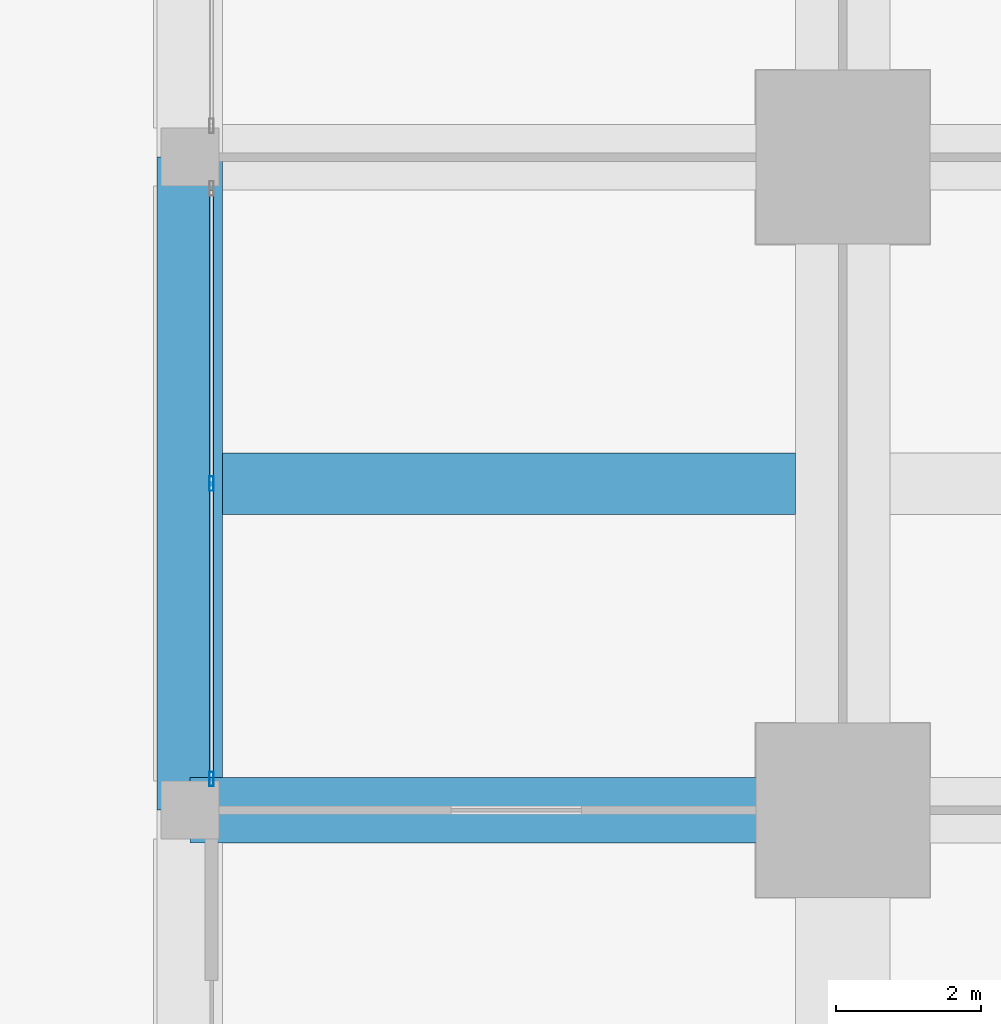
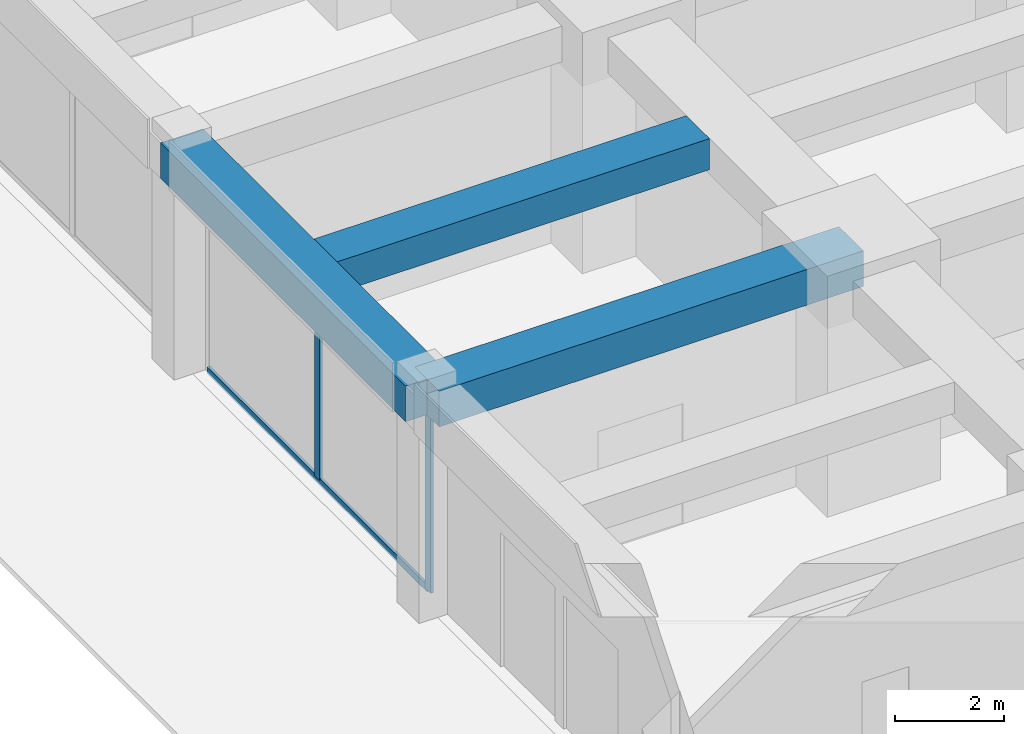
# One storey, part 9 of 56: 3 beams, 3 members, 1 element without a shape of its own.
"""IFC4 building model written with IfcOpenShell, lengths in metres."""

from ifc_helpers import new_model, si_unit, direction, frame, origin, origin_2d, place, context, subcontext, project, spatial, rectangle, hollow_rectangle, extrude, material, material_profile, profile_set, type_object, element, aggregate, save


model = new_model("IFC4")

# Units and contexts
model_context = context("Model", 3, precision=1e-05, world=origin(), true_north=direction((0.0, 1.0)))
body_context = subcontext(model_context, "Body", "Model", "MODEL_VIEW")
ifc_project = project(units=[si_unit("LENGTHUNIT", "METRE"), si_unit("AREAUNIT", "SQUARE_METRE"), si_unit("VOLUMEUNIT", "CUBIC_METRE"), si_unit("PLANEANGLEUNIT", "RADIAN"), si_unit("MASSUNIT", "GRAM", prefix="KILO")], contexts=[model_context])

# Site, building, storey
site_placement = place(None, origin())
site = spatial("IfcSite", under=ifc_project, at=site_placement, CompositionType="ELEMENT")
building_placement = place(site_placement, origin())
building = spatial("IfcBuilding", under=site, at=building_placement, Name="Zorevar Civic Tower", CompositionType="ELEMENT")
storey_placement = place(building_placement, origin())
storey = spatial("IfcBuildingStorey", under=building, at=storey_placement, Name="L00", CompositionType="ELEMENT", Elevation=0.0)

# Beams
ifc_material_1 = material(Name="Concrete C50/60", Category="concrete")
ifc_material_profile_1 = material_profile(ifc_material_1, rectangle(XDim=0.85009765625, YDim=0.699951171875, at=origin_2d()), Name="RC 850x700")
ifc_profile_set_1 = profile_set([ifc_material_profile_1], Name="Concrete C50/60")
beam_type_1 = type_object("IfcBeamType", Name="Beam RC 850x700", PredefinedType="BEAM", material=ifc_profile_set_1)
beam_1_placement = place(storey_placement, frame((-8.550048828125, 22.5, 4.75), z_axis=(1.0, 0.0, 0.0), x_axis=(0.0, 1.0, 0.0)))
element("IfcBeam", 1, at=beam_1_placement, inside=storey, type_object=beam_type_1, Name="Secondary beam L01", PredefinedType="BEAM", context=body_context, shape_type="SweptSolid", body=[
    extrude(rectangle(XDim=0.85009765625, YDim=0.699951171875, at=origin_2d()), origin(), (0.0, 0.0, 1.0), 7.900146484375),
])
ifc_material_2 = material(Name="Concrete C50/60", Category="concrete")
ifc_material_profile_2 = material_profile(ifc_material_2, rectangle(XDim=0.89990234375, YDim=0.800048828125, at=origin_2d()), Name="RC 900x800")
ifc_profile_set_2 = profile_set([ifc_material_profile_2], Name="Concrete C50/60")
beam_type_2 = type_object("IfcBeamType", Name="Beam RC 900x800", PredefinedType="BEAM", material=ifc_profile_set_2)
beam_2_placement = place(storey_placement, frame((-9.0, 18.0, 4.699951171875), z_axis=(1.0, 0.0, 0.0), x_axis=(0.0, 1.0, 0.0)))
element("IfcBeam", 2, at=beam_2_placement, inside=storey, type_object=beam_type_2, Name="Girder L01", PredefinedType="BEAM", context=body_context, shape_type="SweptSolid", body=[
    extrude(rectangle(XDim=0.89990234375, YDim=0.800048828125, at=origin_2d()), origin(), (0.0, 0.0, 1.0), 9.0),
])

# Curtain wall, members
ifc_material_3 = material(Name="Dark grey solar-control glass in black aluminium frame", Category="aluminium")
curtain_wall_type = type_object("IfcCurtainWallType", Name="Curtain wall CW1 podium", PredefinedType="NOTDEFINED", material=ifc_material_3)
curtain_wall_placement = place(storey_placement, origin())
curtain_wall = element("IfcCurtainWall", 3, at=curtain_wall_placement, inside=storey, type_object=curtain_wall_type, Name="CW1 L00", PredefinedType="NOTDEFINED")
ifc_material_4 = material(Name="Aluminium, black anodised", Category="aluminium")
ifc_material_profile_3 = material_profile(ifc_material_4, hollow_rectangle(XDim=0.06005859375, YDim=0.199951171875, WallThickness=0.00390625, at=origin_2d()), Name="AL 200x60x4")
ifc_profile_set_3 = profile_set([ifc_material_profile_3], Name="Aluminium, black anodised")
member_type_1 = type_object("IfcMemberType", Name="CW1 mullion AL 200x60x4", PredefinedType="MULLION", material=ifc_profile_set_3)
member_1_placement = place(storey_placement, frame((-8.699951171875, 18.429931640625, 0.0), z_axis=(0.0, 0.0, 1.0), x_axis=(-1.0, 0.0, 0.0)))
member_1 = element("IfcMember", 4, at=member_1_placement, type_object=member_type_1, Name="CW1 mullion 1", PredefinedType="MULLION", context=body_context, shape_type="SweptSolid", body=[
    extrude(hollow_rectangle(XDim=0.06005859375, YDim=0.199951171875, WallThickness=0.00390625, at=origin_2d()), origin(), (0.0, 0.0, 1.0), 4.300048828125),
])
member_2_placement = place(storey_placement, frame((-8.699951171875, 22.5, 0.06005859375), z_axis=(0.0, 0.0, 1.0), x_axis=(-1.0, 0.0, 0.0)))
member_2 = element("IfcMember", 5, at=member_2_placement, type_object=member_type_1, Name="CW1 mullion 2", PredefinedType="MULLION", context=body_context, shape_type="SweptSolid", body=[
    extrude(hollow_rectangle(XDim=0.06005859375, YDim=0.199951171875, WallThickness=0.00390625, at=origin_2d()), origin(), (0.0, 0.0, 1.0), 4.239990234375),
])
ifc_material_5 = material(Name="Aluminium, black anodised", Category="aluminium")
ifc_material_profile_4 = material_profile(ifc_material_5, hollow_rectangle(XDim=0.06005859375, YDim=0.14990234375, WallThickness=0.00390625, at=origin_2d()), Name="AL 150x60x4")
ifc_profile_set_4 = profile_set([ifc_material_profile_4], Name="Aluminium, black anodised")
member_type_2 = type_object("IfcMemberType", Name="CW1 transom AL 150x60x4", PredefinedType="USERDEFINED", material=ifc_profile_set_4)
member_3_placement = place(storey_placement, frame((-8.699951171875, 18.4599609375, 0.030029296875), z_axis=(0.0, 1.0, 0.0), x_axis=(-1.0, 0.0, 0.0)))
member_3 = element("IfcMember", 6, at=member_3_placement, type_object=member_type_2, Name="CW1 sill transom", ObjectType="TRANSOM", PredefinedType="USERDEFINED", context=body_context, shape_type="SweptSolid", body=[
    extrude(hollow_rectangle(XDim=0.06005859375, YDim=0.14990234375, WallThickness=0.00390625, at=origin_2d()), origin(), (0.0, 0.0, 1.0), 8.080078125),
])
aggregate(curtain_wall, [member_1, member_2, member_3])

# Beam
ifc_material_6 = material(Name="Concrete C50/60", Category="concrete")
ifc_material_profile_5 = material_profile(ifc_material_6, rectangle(XDim=0.89990234375, YDim=0.800048828125, at=origin_2d()), Name="RC 900x800")
ifc_profile_set_5 = profile_set([ifc_material_profile_5], Name="Concrete C50/60")
beam_type_3 = type_object("IfcBeamType", Name="Edge beam RC 900x800", PredefinedType="SPANDREL", material=ifc_profile_set_5)
beam_3_placement = place(storey_placement, frame((-9.0, 18.0, 4.699951171875), z_axis=(0.0, 1.0, 0.0), x_axis=(-1.0, 0.0, 0.0)))
element("IfcBeam", 7, at=beam_3_placement, inside=storey, type_object=beam_type_3, Name="Edge beam L01", PredefinedType="SPANDREL", context=body_context, shape_type="SweptSolid", body=[
    extrude(rectangle(XDim=0.89990234375, YDim=0.800048828125, at=origin_2d()), origin(), (0.0, 0.0, 1.0), 9.0),
])

save(model, "model.ifc")
